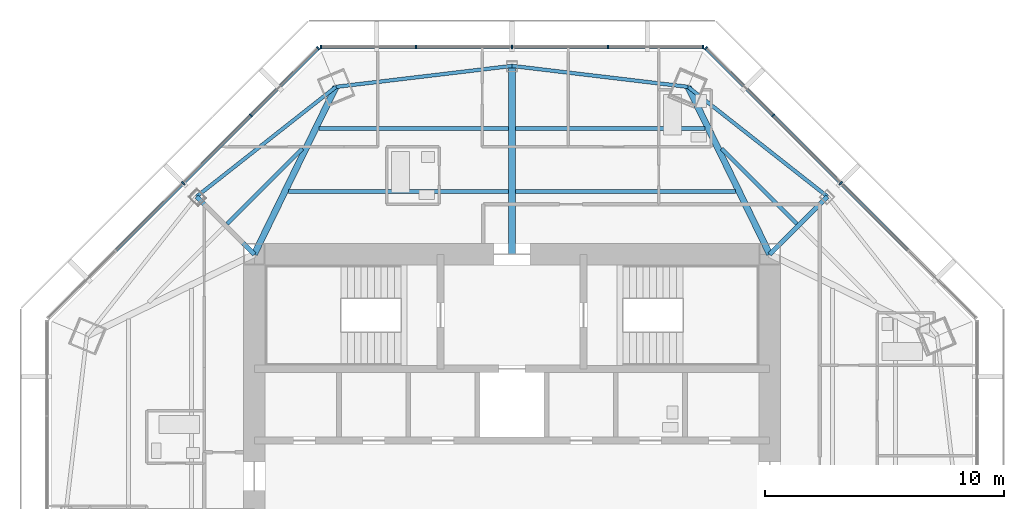
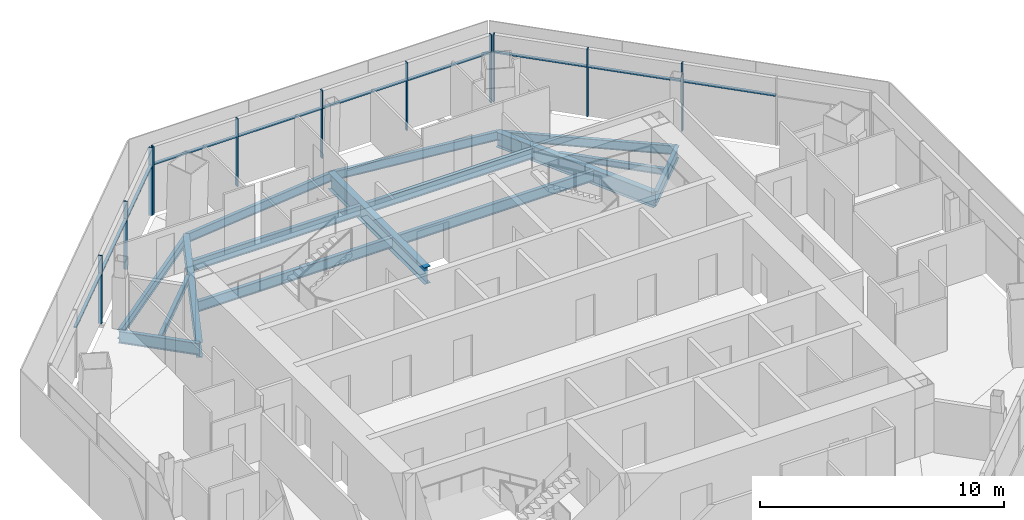
# One storey, part 6 of 15: 21 members, 15 beams, 3 elements without a shape of their own.
"""IFC4 building model written with IfcOpenShell, lengths in metres."""

from ifc_helpers import new_model, si_unit, direction, frame, origin, origin_2d, place, context, subcontext, project, spatial, rectangle, i_section, extrude, source, transform, mapped, material, material_profile, profile_set, type_object, type_shapes, element, aggregate, save


model = new_model("IFC4")

# Units and contexts
model_context = context("Model", 3, precision=1e-05, world=origin(), true_north=direction((0.0, 1.0)))
body_context = subcontext(model_context, "Body", "Model", "MODEL_VIEW")
ifc_project = project(units=[si_unit("LENGTHUNIT", "METRE"), si_unit("AREAUNIT", "SQUARE_METRE"), si_unit("VOLUMEUNIT", "CUBIC_METRE"), si_unit("PLANEANGLEUNIT", "RADIAN"), si_unit("MASSUNIT", "GRAM", prefix="KILO")], contexts=[model_context])

# Site, building, storey
site_placement = place(None, origin())
site = spatial("IfcSite", under=ifc_project, at=site_placement, CompositionType="ELEMENT")
building_placement = place(site_placement, origin())
building = spatial("IfcBuilding", under=site, at=building_placement, Name="Mashrafa Tower", CompositionType="ELEMENT")
storey_placement = place(building_placement, frame((0.0, 0.0, 301.39990234375)))
storey = spatial("IfcBuildingStorey", under=building, at=storey_placement, Name="L74", CompositionType="ELEMENT", Elevation=301.39990234375)

# Beams
ifc_material_1 = material(Name="Steel ASTM A992", Category="steel")
ifc_material_profile_1 = material_profile(ifc_material_1, i_section(OverallWidth=0.164794921875, OverallDepth=0.309814453125, WebThickness=0.005859375, FlangeThickness=0.009765625, FilletRadius=0.007568359375, at=origin_2d()), Name="W12X26")
ifc_profile_set_1 = profile_set([ifc_material_profile_1], Name="Steel ASTM A992")
beam_type_1 = type_object("IfcBeamType", Name="Beam W12X26", PredefinedType="BEAM", material=ifc_profile_set_1)
for number, where, z_axis, x_axis, name in (
    (1, (-11.9462890625, 12.072509765625, -0.354736328125), (0.707106781187, 0.707106781187, 0.0), (-0.707106781187, 0.707106781187, 0.0), "Floor beam L74 007"),
    (2, (8.78857421875, 15.230224609375, -0.354736328125), (0.707106781187, -0.707106781187, 0.0), (0.707106781187, 0.707106781187, 0.0), "Floor beam L74 016"),
):
    element("IfcBeam", number, at=place(storey_placement, frame(where, z_axis=z_axis, x_axis=x_axis)), inside=storey, type_object=beam_type_1, Name=name, PredefinedType="BEAM", context=body_context, shape_type="SweptSolid", body=[
        extrude(i_section(OverallWidth=0.164794921875, OverallDepth=0.309814453125, WebThickness=0.005859375, FlangeThickness=0.009765625, FilletRadius=0.007568359375, at=origin_2d()), origin(), (0.0, 0.0, 1.0), 4.465576171875),
    ])
ifc_material_2 = material(Name="Steel ASTM A992", Category="steel")
ifc_material_profile_2 = material_profile(ifc_material_2, i_section(OverallWidth=0.15234375, OverallDepth=0.449462890625, WebThickness=0.007568359375, FlangeThickness=0.0107421875, FilletRadius=0.01025390625, at=origin_2d()), Name="W18X35")
ifc_profile_set_2 = profile_set([ifc_material_profile_2], Name="Steel ASTM A992")
beam_type_2 = type_object("IfcBeamType", Name="Beam W18X35", PredefinedType="BEAM", material=ifc_profile_set_2)
for number, where, z_axis, x_axis, name in (
    (3, (-7.379638671875, 17.81591796875, -0.4248046875), (-0.785710360466, -0.618594559835, 0.0), (0.618594559835, -0.785710360466, 0.0), "Spandrel beam L74 047"),
    (4, (0.0, 18.694091796875, -0.4248046875), (-0.992993873764, -0.118165843912, 0.0), (0.118165843912, -0.992993873764, 0.0), "Spandrel beam L74 049"),
    (5, (7.379638671875, 17.81591796875, -0.4248046875), (-0.992993873764, 0.118165843912, 0.0), (-0.118165843912, -0.992993873764, 0.0), "Spandrel beam L74 051"),
    (6, (13.21875, 13.21875, -0.4248046875), (-0.785710360466, 0.618594559835, 0.0), (-0.618594559835, -0.785710360466, 0.0), "Spandrel beam L74 053"),
):
    element("IfcBeam", number, at=place(storey_placement, frame(where, z_axis=z_axis, x_axis=x_axis)), inside=storey, type_object=beam_type_2, Name=name, PredefinedType="BEAM", context=body_context, shape_type="SweptSolid", body=[
        extrude(i_section(OverallWidth=0.15234375, OverallDepth=0.449462890625, WebThickness=0.007568359375, FlangeThickness=0.0107421875, FilletRadius=0.01025390625, at=origin_2d()), origin(), (0.0, 0.0, 1.0), 7.431640625),
    ])
ifc_material_3 = material(Name="Steel ASTM A992", Category="steel")
ifc_material_profile_3 = material_profile(ifc_material_3, i_section(OverallWidth=0.165771484375, OverallDepth=0.5283203125, WebThickness=0.009765625, FlangeThickness=0.013671875, FilletRadius=0.012939453125, at=origin_2d()), Name="W21X50")
ifc_profile_set_3 = profile_set([ifc_material_profile_3], Name="Steel ASTM A992")
beam_type_3 = type_object("IfcBeamType", Name="Beam W21X50", PredefinedType="BEAM", material=ifc_profile_set_3)
beam_1_placement = place(storey_placement, frame((-9.368896484375, 13.431396484375, -0.464111328125), z_axis=(1.0, 0.0, 0.0), x_axis=(0.0, 1.0, 0.0)))
element("IfcBeam", 7, at=beam_1_placement, inside=storey, type_object=beam_type_3, Name="Floor beam L74 008", PredefinedType="BEAM", context=body_context, shape_type="SweptSolid", body=[
    extrude(i_section(OverallWidth=0.165771484375, OverallDepth=0.5283203125, WebThickness=0.009765625, FlangeThickness=0.013671875, FilletRadius=0.012939453125, at=origin_2d()), origin(), (0.0, 0.0, 1.0), 9.222900390625),
])
beam_2_placement = place(storey_placement, frame((-8.0859375, 16.062744140625, -0.464111328125), z_axis=(1.0, 0.0, 0.0), x_axis=(0.0, 1.0, 0.0)))
element("IfcBeam", 8, at=beam_2_placement, inside=storey, type_object=beam_type_3, Name="Floor beam L74 010", PredefinedType="BEAM", context=body_context, shape_type="SweptSolid", body=[
    extrude(i_section(OverallWidth=0.165771484375, OverallDepth=0.5283203125, WebThickness=0.009765625, FlangeThickness=0.013671875, FilletRadius=0.012939453125, at=origin_2d()), origin(), (0.0, 0.0, 1.0), 7.93994140625),
])
beam_3_placement = place(storey_placement, frame((0.14599609375, 13.431396484375, -0.464111328125), z_axis=(1.0, 0.0, 0.0), x_axis=(0.0, 1.0, 0.0)))
element("IfcBeam", 9, at=beam_3_placement, inside=storey, type_object=beam_type_3, Name="Floor beam L74 013", PredefinedType="BEAM", context=body_context, shape_type="SweptSolid", body=[
    extrude(i_section(OverallWidth=0.165771484375, OverallDepth=0.5283203125, WebThickness=0.009765625, FlangeThickness=0.013671875, FilletRadius=0.012939453125, at=origin_2d()), origin(), (0.0, 0.0, 1.0), 9.222900390625),
])
beam_4_placement = place(storey_placement, frame((0.14599609375, 16.062744140625, -0.464111328125), z_axis=(1.0, 0.0, 0.0), x_axis=(0.0, 1.0, 0.0)))
element("IfcBeam", 10, at=beam_4_placement, inside=storey, type_object=beam_type_3, Name="Floor beam L74 014", PredefinedType="BEAM", context=body_context, shape_type="SweptSolid", body=[
    extrude(i_section(OverallWidth=0.165771484375, OverallDepth=0.5283203125, WebThickness=0.009765625, FlangeThickness=0.013671875, FilletRadius=0.012939453125, at=origin_2d()), origin(), (0.0, 0.0, 1.0), 7.93994140625),
])
ifc_material_4 = material(Name="Steel ASTM A992", Category="steel")
ifc_material_profile_4 = material_profile(ifc_material_4, i_section(OverallWidth=0.177978515625, OverallDepth=0.599365234375, WebThickness=0.010009765625, FlangeThickness=0.012939453125, FilletRadius=0.012939453125, at=origin_2d()), Name="W24X55")
ifc_profile_set_4 = profile_set([ifc_material_profile_4], Name="Steel ASTM A992")
beam_type_4 = type_object("IfcBeamType", Name="Beam W24X55", PredefinedType="BEAM", material=ifc_profile_set_4)
for number, where, z_axis, x_axis, name in (
    (11, (-10.800048828125, 10.800048828125, -0.49951171875), (-0.707106781187, 0.707106781187, 0.0), (-0.707106781187, -0.707106781187, 0.0), "Radial girder L74 030"),
    (12, (10.800048828125, 10.800048828125, -0.49951171875), (0.707106781187, 0.707106781187, 0.0), (-0.707106781187, 0.707106781187, 0.0), "Radial girder L74 039"),
):
    element("IfcBeam", number, at=place(storey_placement, frame(where, z_axis=z_axis, x_axis=x_axis)), inside=storey, type_object=beam_type_4, Name=name, PredefinedType="BEAM", context=body_context, shape_type="SweptSolid", body=[
        extrude(i_section(OverallWidth=0.177978515625, OverallDepth=0.599365234375, WebThickness=0.010009765625, FlangeThickness=0.012939453125, FilletRadius=0.012939453125, at=origin_2d()), origin(), (0.0, 0.0, 1.0), 3.420654296875),
    ])
ifc_material_5 = material(Name="Steel ASTM A992", Category="steel")
ifc_material_profile_5 = material_profile(ifc_material_5, i_section(OverallWidth=0.2666015625, OverallDepth=0.75439453125, WebThickness=0.01318359375, FlangeThickness=0.01708984375, FilletRadius=0.0166015625, at=origin_2d()), Name="W30X99")
ifc_profile_set_5 = profile_set([ifc_material_profile_5], Name="Steel ASTM A992")
beam_type_5 = type_object("IfcBeamType", Name="Beam W30X99", PredefinedType="BEAM", material=ifc_profile_set_5)
for number, where, z_axis, x_axis, name in (
    (13, (-10.800048828125, 10.800048828125, -0.5771484375), (0.438220254011, 0.898867625946, 0.0), (-0.898867625946, 0.438220254011, 0.0), "Radial girder L74 031"),
    (14, (10.800048828125, 10.800048828125, -0.5771484375), (-0.438220254011, 0.898867625946, 0.0), (-0.898867625946, -0.438220254011, 0.0), "Radial girder L74 038"),
):
    element("IfcBeam", number, at=place(storey_placement, frame(where, z_axis=z_axis, x_axis=x_axis)), inside=storey, type_object=beam_type_5, Name=name, PredefinedType="BEAM", context=body_context, shape_type="SweptSolid", body=[
        extrude(i_section(OverallWidth=0.2666015625, OverallDepth=0.75439453125, WebThickness=0.01318359375, FlangeThickness=0.01708984375, FilletRadius=0.0166015625, at=origin_2d()), origin(), (0.0, 0.0, 1.0), 7.80517578125),
    ])
ifc_material_6 = material(Name="Steel ASTM A992", Category="steel")
ifc_material_profile_6 = material_profile(ifc_material_6, i_section(OverallWidth=0.2919921875, OverallDepth=0.8408203125, WebThickness=0.0146484375, FlangeThickness=0.021728515625, FilletRadius=0.017333984375, at=origin_2d()), Name="W33X130")
ifc_profile_set_6 = profile_set([ifc_material_profile_6], Name="Steel ASTM A992")
beam_type_6 = type_object("IfcBeamType", Name="Beam W33X130", PredefinedType="BEAM", material=ifc_profile_set_6)
beam_5_placement = place(storey_placement, frame((0.0, 10.800048828125, -0.620361328125), z_axis=(0.0, 1.0, 0.0), x_axis=(-1.0, 0.0, 0.0)))
element("IfcBeam", 15, at=beam_5_placement, inside=storey, type_object=beam_type_6, Name="Radial girder L74 033", PredefinedType="BEAM", context=body_context, shape_type="SweptSolid", body=[
    extrude(i_section(OverallWidth=0.2919921875, OverallDepth=0.8408203125, WebThickness=0.0146484375, FlangeThickness=0.021728515625, FilletRadius=0.017333984375, at=origin_2d()), origin(), (0.0, 0.0, 1.0), 7.89404296875),
])

# Curtain wall, members
ifc_material_7 = material(Name="Unitised aluminium curtain wall", Category="aluminium")
curtain_wall_type = type_object("IfcCurtainWallType", Name="Apartment curtain wall, zone 4 CW-D 160 deep", PredefinedType="NOTDEFINED", material=ifc_material_7)
curtain_wall_1_placement = place(storey_placement, origin())
curtain_wall_1 = element("IfcCurtainWall", 16, at=curtain_wall_1_placement, inside=storey, type_object=curtain_wall_type, Name="Apartment curtain wall, zone 4 L74 north-east", PredefinedType="NOTDEFINED")
ifc_material_8 = material(Name="Extruded aluminium mullion", Category="aluminium")
ifc_material_profile_7 = material_profile(ifc_material_8, rectangle(XDim=0.159912109375, YDim=0.06005859375, at=origin_2d()), Name="Mullion 60x160")
ifc_profile_set_7 = profile_set([ifc_material_profile_7], Name="Extruded aluminium mullion")
member_type_1 = type_object("IfcMemberType", Name="Mullion CW-D 60 x 160", PredefinedType="MULLION", material=ifc_profile_set_7)
shared_shape_1 = source(origin(), body_context, "Body", "SweptSolid", [
    extrude(rectangle(XDim=0.159912109375, YDim=0.06005859375, at=origin_2d()), origin(), (0.0, 0.0, 1.0), 3.400146484375),
])
type_shapes(member_type_1, [shared_shape_1])
member_1_placement = place(storey_placement, frame((13.780517578125, 13.780517578125, 0.0), z_axis=(0.0, 0.0, 1.0), x_axis=(-0.707106781187, -0.707106781187, 0.0)))
member_1 = element("IfcMember", 17, at=member_1_placement, type_object=member_type_1, Name="CW-D mullion 3", PredefinedType="MULLION", context=body_context, shape_type="MappedRepresentation", body=[
    mapped(shared_shape_1, transform((0.0, 0.0, 0.0))),
])
member_2_placement = place(storey_placement, frame((10.941650390625, 16.619140625, 0.0), z_axis=(0.0, 0.0, 1.0), x_axis=(-0.707106781187, -0.707106781187, 0.0)))
member_2 = element("IfcMember", 18, at=member_2_placement, type_object=member_type_1, Name="CW-D mullion 4", PredefinedType="MULLION", context=body_context, shape_type="MappedRepresentation", body=[
    mapped(shared_shape_1, transform((0.0, 0.0, 0.0))),
])
member_3_placement = place(storey_placement, frame((8.1240234375, 19.436767578125, 0.0), z_axis=(0.0, 0.0, 1.0), x_axis=(-0.707106781187, -0.707106781187, 0.0)))
member_3 = element("IfcMember", 19, at=member_3_placement, type_object=member_type_1, Name="CW-D mullion 5", PredefinedType="MULLION", context=body_context, shape_type="MappedRepresentation", body=[
    mapped(shared_shape_1, transform((0.0, 0.0, 0.0))),
])

curtain_wall_2_placement = place(storey_placement, origin())
curtain_wall_2 = element("IfcCurtainWall", 20, at=curtain_wall_2_placement, inside=storey, type_object=curtain_wall_type, Name="Apartment curtain wall, zone 4 L74 north", PredefinedType="NOTDEFINED")
member_4_placement = place(storey_placement, frame((7.999267578125, 19.488525390625, 0.0), z_axis=(0.0, 0.0, 1.0), x_axis=(0.0, -1.0, 0.0)))
member_4 = element("IfcMember", 21, at=member_4_placement, type_object=member_type_1, Name="CW-D mullion 1", PredefinedType="MULLION", context=body_context, shape_type="MappedRepresentation", body=[
    mapped(shared_shape_1, transform((0.0, 0.0, 0.0))),
])
member_5_placement = place(storey_placement, frame((4.0146484375, 19.488525390625, 0.0), z_axis=(0.0, 0.0, 1.0), x_axis=(0.0, -1.0, 0.0)))
member_5 = element("IfcMember", 22, at=member_5_placement, type_object=member_type_1, Name="CW-D mullion 2", PredefinedType="MULLION", context=body_context, shape_type="MappedRepresentation", body=[
    mapped(shared_shape_1, transform((0.0, 0.0, 0.0))),
])
member_6_placement = place(storey_placement, frame((0.0, 19.488525390625, 0.0), z_axis=(0.0, 0.0, 1.0), x_axis=(0.0, -1.0, 0.0)))
member_6 = element("IfcMember", 23, at=member_6_placement, type_object=member_type_1, Name="CW-D mullion 3", PredefinedType="MULLION", context=body_context, shape_type="MappedRepresentation", body=[
    mapped(shared_shape_1, transform((0.0, 0.0, 0.0))),
])
member_7_placement = place(storey_placement, frame((-4.0146484375, 19.488525390625, 0.0), z_axis=(0.0, 0.0, 1.0), x_axis=(0.0, -1.0, 0.0)))
member_7 = element("IfcMember", 24, at=member_7_placement, type_object=member_type_1, Name="CW-D mullion 4", PredefinedType="MULLION", context=body_context, shape_type="MappedRepresentation", body=[
    mapped(shared_shape_1, transform((0.0, 0.0, 0.0))),
])
member_8_placement = place(storey_placement, frame((-7.999267578125, 19.488525390625, 0.0), z_axis=(0.0, 0.0, 1.0), x_axis=(0.0, -1.0, 0.0)))
member_8 = element("IfcMember", 25, at=member_8_placement, type_object=member_type_1, Name="CW-D mullion 5", PredefinedType="MULLION", context=body_context, shape_type="MappedRepresentation", body=[
    mapped(shared_shape_1, transform((0.0, 0.0, 0.0))),
])

curtain_wall_3_placement = place(storey_placement, origin())
curtain_wall_3 = element("IfcCurtainWall", 26, at=curtain_wall_3_placement, inside=storey, type_object=curtain_wall_type, Name="Apartment curtain wall, zone 4 L74 north-west", PredefinedType="NOTDEFINED")
member_9_placement = place(storey_placement, frame((-8.1240234375, 19.436767578125, 0.0), z_axis=(0.0, 0.0, 1.0), x_axis=(0.707106781187, -0.707106781187, 0.0)))
member_9 = element("IfcMember", 27, at=member_9_placement, type_object=member_type_1, Name="CW-D mullion 1", PredefinedType="MULLION", context=body_context, shape_type="MappedRepresentation", body=[
    mapped(shared_shape_1, transform((0.0, 0.0, 0.0))),
])
member_10_placement = place(storey_placement, frame((-10.941650390625, 16.619140625, 0.0), z_axis=(0.0, 0.0, 1.0), x_axis=(0.707106781187, -0.707106781187, 0.0)))
member_10 = element("IfcMember", 28, at=member_10_placement, type_object=member_type_1, Name="CW-D mullion 2", PredefinedType="MULLION", context=body_context, shape_type="MappedRepresentation", body=[
    mapped(shared_shape_1, transform((0.0, 0.0, 0.0))),
])
member_11_placement = place(storey_placement, frame((-13.780517578125, 13.780517578125, 0.0), z_axis=(0.0, 0.0, 1.0), x_axis=(0.707106781187, -0.707106781187, 0.0)))
member_11 = element("IfcMember", 29, at=member_11_placement, type_object=member_type_1, Name="CW-D mullion 3", PredefinedType="MULLION", context=body_context, shape_type="MappedRepresentation", body=[
    mapped(shared_shape_1, transform((0.0, 0.0, 0.0))),
])

# Member
ifc_material_9 = material(Name="Extruded aluminium transom", Category="aluminium")
ifc_material_profile_8 = material_profile(ifc_material_9, rectangle(XDim=0.1279296875, YDim=0.074951171875, at=origin_2d()), Name="Transom 75x128")
ifc_profile_set_8 = profile_set([ifc_material_profile_8], Name="Extruded aluminium transom")
member_type_2 = type_object("IfcMemberType", Name="Transom CW-D 75 x 128", PredefinedType="MULLION", material=ifc_profile_set_8)
shared_shape_2 = source(origin(), body_context, "Body", "SweptSolid", [
    extrude(rectangle(XDim=0.1279296875, YDim=0.074951171875, at=origin_2d()), origin(), (0.0, 0.0, 1.0), 3.924560546875),
])
member_12_placement = place(storey_placement, frame((10.92041015625, 16.640380859375, 2.5), z_axis=(-0.707106781187, 0.707106781187, 0.0), x_axis=(-0.707106781187, -0.707106781187, 0.0)))
member_12 = element("IfcMember", 30, at=member_12_placement, type_object=member_type_2, Name="CW-D transom 4", PredefinedType="MULLION", context=body_context, shape_type="MappedRepresentation", body=[
    mapped(shared_shape_2, transform((0.0, 0.0, 0.0))),
])

member_13_placement = place(storey_placement, frame((7.96923828125, 19.488525390625, 2.5), z_axis=(-1.0, 0.0, 0.0), x_axis=(0.0, -1.0, 0.0)))
member_13 = element("IfcMember", 31, at=member_13_placement, type_object=member_type_2, Name="CW-D transom 1", PredefinedType="MULLION", context=body_context, shape_type="MappedRepresentation", body=[
    mapped(shared_shape_2, transform((0.0, 0.0, 0.0))),
])

member_14_placement = place(storey_placement, frame((-4.044677734375, 19.488525390625, 2.5), z_axis=(-1.0, 0.0, 0.0), x_axis=(0.0, -1.0, 0.0)))
member_14 = element("IfcMember", 32, at=member_14_placement, type_object=member_type_2, Name="CW-D transom 4", PredefinedType="MULLION", context=body_context, shape_type="MappedRepresentation", body=[
    mapped(shared_shape_2, transform((0.0, 0.0, 0.0))),
])

member_15_placement = place(storey_placement, frame((-8.145263671875, 19.41552734375, 2.5), z_axis=(-0.707106781187, -0.707106781187, 0.0), x_axis=(0.707106781187, -0.707106781187, 0.0)))
member_15 = element("IfcMember", 33, at=member_15_placement, type_object=member_type_2, Name="CW-D transom 1", PredefinedType="MULLION", context=body_context, shape_type="MappedRepresentation", body=[
    mapped(shared_shape_2, transform((0.0, 0.0, 0.0))),
])

shared_shape_3 = source(origin(), body_context, "Body", "SweptSolid", [
    extrude(rectangle(XDim=0.1279296875, YDim=0.074951171875, at=origin_2d()), origin(), (0.0, 0.0, 1.0), 3.95458984375),
])
type_shapes(member_type_2, [shared_shape_2, shared_shape_3])
member_16_placement = place(storey_placement, frame((16.59814453125, 10.962890625, 2.5), z_axis=(-0.707106781187, 0.707106781187, 0.0), x_axis=(-0.707106781187, -0.707106781187, 0.0)))
member_16 = element("IfcMember", 34, at=member_16_placement, type_object=member_type_2, Name="CW-D transom 2", PredefinedType="MULLION", context=body_context, shape_type="MappedRepresentation", body=[
    mapped(shared_shape_3, transform((0.0, 0.0, 0.0))),
])

member_17_placement = place(storey_placement, frame((13.75927734375, 13.8017578125, 2.5), z_axis=(-0.707106781187, 0.707106781187, 0.0), x_axis=(-0.707106781187, -0.707106781187, 0.0)))
member_17 = element("IfcMember", 35, at=member_17_placement, type_object=member_type_2, Name="CW-D transom 3", PredefinedType="MULLION", context=body_context, shape_type="MappedRepresentation", body=[
    mapped(shared_shape_3, transform((0.0, 0.0, 0.0))),
])

aggregate(curtain_wall_1, [member_1, member_2, member_3, member_16, member_17, member_12])

member_18_placement = place(storey_placement, frame((3.984619140625, 19.488525390625, 2.5), z_axis=(-1.0, 0.0, 0.0), x_axis=(0.0, -1.0, 0.0)))
member_18 = element("IfcMember", 36, at=member_18_placement, type_object=member_type_2, Name="CW-D transom 2", PredefinedType="MULLION", context=body_context, shape_type="MappedRepresentation", body=[
    mapped(shared_shape_3, transform((0.0, 0.0, 0.0))),
])

member_19_placement = place(storey_placement, frame((-0.030029296875, 19.488525390625, 2.5), z_axis=(-1.0, 0.0, 0.0), x_axis=(0.0, -1.0, 0.0)))
member_19 = element("IfcMember", 37, at=member_19_placement, type_object=member_type_2, Name="CW-D transom 3", PredefinedType="MULLION", context=body_context, shape_type="MappedRepresentation", body=[
    mapped(shared_shape_3, transform((0.0, 0.0, 0.0))),
])

aggregate(curtain_wall_2, [member_4, member_5, member_6, member_7, member_8, member_13, member_18, member_19, member_14])

member_20_placement = place(storey_placement, frame((-10.962890625, 16.59814453125, 2.5), z_axis=(-0.707106781187, -0.707106781187, 0.0), x_axis=(0.707106781187, -0.707106781187, 0.0)))
member_20 = element("IfcMember", 38, at=member_20_placement, type_object=member_type_2, Name="CW-D transom 2", PredefinedType="MULLION", context=body_context, shape_type="MappedRepresentation", body=[
    mapped(shared_shape_3, transform((0.0, 0.0, 0.0))),
])

member_21_placement = place(storey_placement, frame((-13.8017578125, 13.75927734375, 2.5), z_axis=(-0.707106781187, -0.707106781187, 0.0), x_axis=(0.707106781187, -0.707106781187, 0.0)))
member_21 = element("IfcMember", 39, at=member_21_placement, type_object=member_type_2, Name="CW-D transom 3", PredefinedType="MULLION", context=body_context, shape_type="MappedRepresentation", body=[
    mapped(shared_shape_3, transform((0.0, 0.0, 0.0))),
])

aggregate(curtain_wall_3, [member_9, member_10, member_11, member_15, member_20, member_21])

save(model, "model.ifc")
